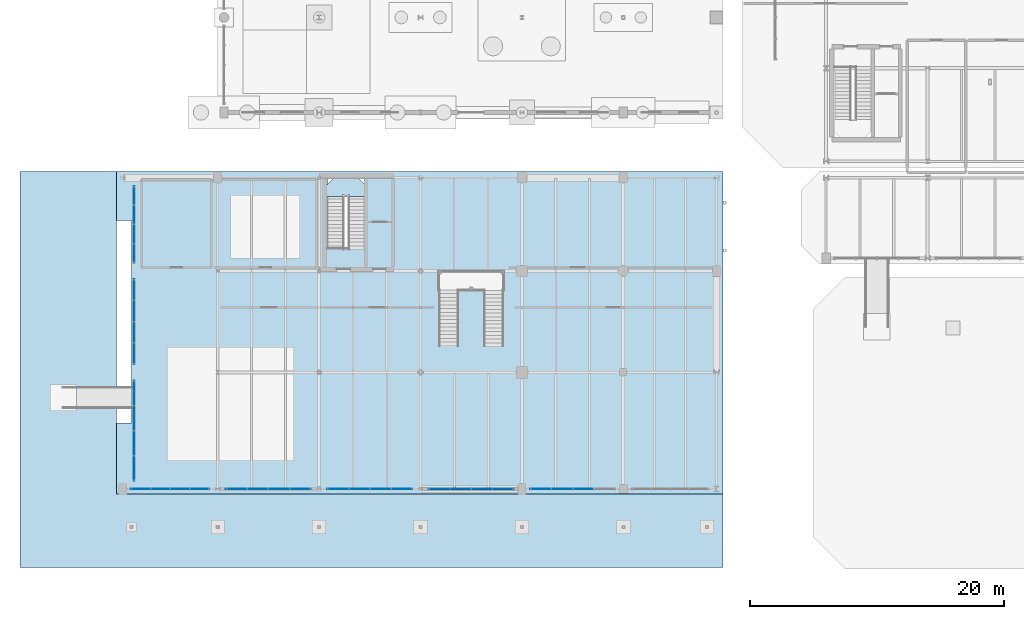
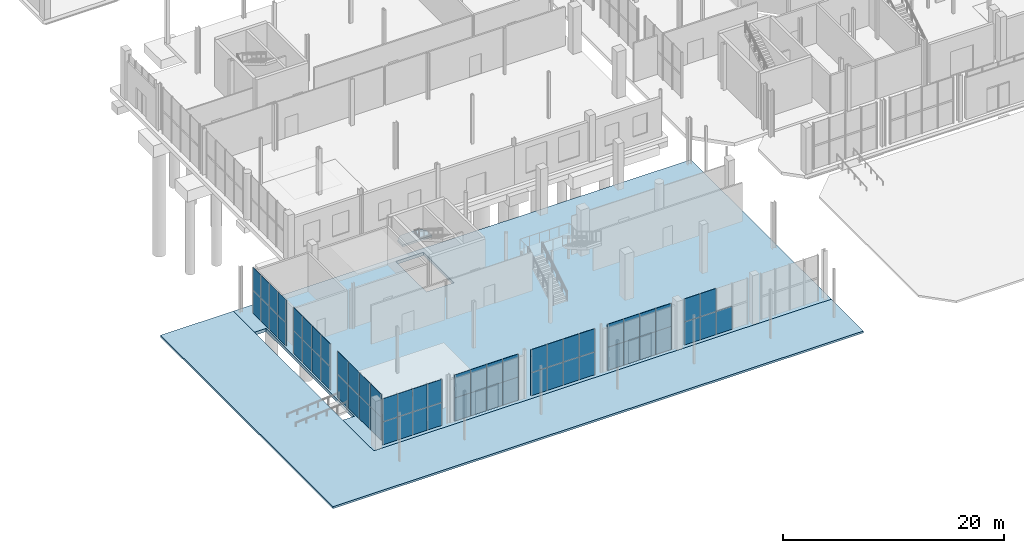
# One storey, part 57 of 87: 61 plates, 3 slabs, 9 elements without a shape of their own.
"""IFC4 building model written with IfcOpenShell, lengths in metres."""

from ifc_helpers import new_model, si_unit, direction, frame, origin, origin_2d, place, context, subcontext, project, spatial, polyline, rectangle, outline, extrude, material, layer, layer_set, type_object, element, aggregate, save


model = new_model("IFC4")

# Units and contexts
model_context = context("Model", 3, precision=1e-05, world=origin(), true_north=direction((0.0, 1.0)))
body_context = subcontext(model_context, "Body", "Model", "MODEL_VIEW")
ifc_project = project(units=[si_unit("LENGTHUNIT", "METRE"), si_unit("AREAUNIT", "SQUARE_METRE"), si_unit("VOLUMEUNIT", "CUBIC_METRE"), si_unit("PLANEANGLEUNIT", "RADIAN"), si_unit("MASSUNIT", "GRAM", prefix="KILO")], contexts=[model_context])

# Site, building, storey
site_placement = place(None, origin())
site = spatial("IfcSite", under=ifc_project, at=site_placement, CompositionType="ELEMENT")
building_placement = place(site_placement, origin())
building = spatial("IfcBuilding", under=site, at=building_placement, Name="Brisemont Oceanarium", CompositionType="ELEMENT")
storey_placement = place(building_placement, origin())
storey = spatial("IfcBuildingStorey", under=building, at=storey_placement, Name="L00", CompositionType="ELEMENT", Elevation=0.0)

# Curtain wall, plates
ifc_material_1 = material(Name="Anodized Extruded Aluminum 6063-T6", Category="aluminium")
curtain_wall_type = type_object("IfcCurtainWallType", Name="CW-HALL-69X50", PredefinedType="NOTDEFINED", material=ifc_material_1)
curtain_wall_1_placement = place(storey_placement, origin())
curtain_wall_1 = element("IfcCurtainWall", 1, at=curtain_wall_1_placement, inside=storey, type_object=curtain_wall_type, Name="CW-04 curtain wall CW-V2-S-L00-01", PredefinedType="NOTDEFINED")
ifc_material_2 = material(Name="Insulated Low-E Laminated Glass", Category="glass")
ifc_layer_1 = layer(ifc_material_2, 0.030029296875)
ifc_layer_set_1 = layer_set([ifc_layer_1], Name="Insulated Low-E Laminated Glass")
plate_type = type_object("IfcPlateType", Name="PLT-CWP-V4", PredefinedType="CURTAIN_PANEL", material=ifc_layer_set_1)
plate_1_placement = place(storey_placement, frame((9.925048828125, 6.800048828125, 0.00146484375), z_axis=(0.0, 0.0, 1.0), x_axis=(1.0, 0.0, 0.0)))
plate_1 = element("IfcPlate", 2, at=plate_1_placement, type_object=plate_type, Name="CW-V2-S-L00-01 panel 1.1", PredefinedType="CURTAIN_PANEL", context=body_context, shape_type="SweptSolid", body=[
    extrude(rectangle(XDim=1.547119140625, YDim=0.030029296875, at=origin_2d()), origin(), (0.0, 0.0, 1.0), 2.547119140625),
])
plate_2_placement = place(storey_placement, frame((9.925048828125, 6.800048828125, 2.55126953125), z_axis=(0.0, 0.0, 1.0), x_axis=(1.0, 0.0, 0.0)))
plate_2 = element("IfcPlate", 3, at=plate_2_placement, type_object=plate_type, Name="CW-V2-S-L00-01 panel 1.2", PredefinedType="CURTAIN_PANEL", context=body_context, shape_type="SweptSolid", body=[
    extrude(rectangle(XDim=1.547119140625, YDim=0.030029296875, at=origin_2d()), origin(), (0.0, 0.0, 1.0), 2.547119140625),
])
plate_3_placement = place(storey_placement, frame((11.47509765625, 6.800048828125, 0.00146484375), z_axis=(0.0, 0.0, 1.0), x_axis=(1.0, 0.0, 0.0)))
plate_3 = element("IfcPlate", 4, at=plate_3_placement, type_object=plate_type, Name="CW-V2-S-L00-01 panel 2.1", PredefinedType="CURTAIN_PANEL", context=body_context, shape_type="SweptSolid", body=[
    extrude(rectangle(XDim=1.547119140625, YDim=0.030029296875, at=origin_2d()), origin(), (0.0, 0.0, 1.0), 2.547119140625),
])
plate_4_placement = place(storey_placement, frame((11.47509765625, 6.800048828125, 2.55126953125), z_axis=(0.0, 0.0, 1.0), x_axis=(1.0, 0.0, 0.0)))
plate_4 = element("IfcPlate", 5, at=plate_4_placement, type_object=plate_type, Name="CW-V2-S-L00-01 panel 2.2", PredefinedType="CURTAIN_PANEL", context=body_context, shape_type="SweptSolid", body=[
    extrude(rectangle(XDim=1.547119140625, YDim=0.030029296875, at=origin_2d()), origin(), (0.0, 0.0, 1.0), 2.547119140625),
])
plate_5_placement = place(storey_placement, frame((13.02490234375, 6.800048828125, 0.00146484375), z_axis=(0.0, 0.0, 1.0), x_axis=(1.0, 0.0, 0.0)))
plate_5 = element("IfcPlate", 6, at=plate_5_placement, type_object=plate_type, Name="CW-V2-S-L00-01 panel 3.1", PredefinedType="CURTAIN_PANEL", context=body_context, shape_type="SweptSolid", body=[
    extrude(rectangle(XDim=1.547119140625, YDim=0.030029296875, at=origin_2d()), origin(), (0.0, 0.0, 1.0), 2.547119140625),
])
plate_6_placement = place(storey_placement, frame((13.02490234375, 6.800048828125, 2.55126953125), z_axis=(0.0, 0.0, 1.0), x_axis=(1.0, 0.0, 0.0)))
plate_6 = element("IfcPlate", 7, at=plate_6_placement, type_object=plate_type, Name="CW-V2-S-L00-01 panel 3.2", PredefinedType="CURTAIN_PANEL", context=body_context, shape_type="SweptSolid", body=[
    extrude(rectangle(XDim=1.547119140625, YDim=0.030029296875, at=origin_2d()), origin(), (0.0, 0.0, 1.0), 2.547119140625),
])
plate_7_placement = place(storey_placement, frame((14.574951171875, 6.800048828125, 0.00146484375), z_axis=(0.0, 0.0, 1.0), x_axis=(1.0, 0.0, 0.0)))
plate_7 = element("IfcPlate", 8, at=plate_7_placement, type_object=plate_type, Name="CW-V2-S-L00-01 panel 4.1", PredefinedType="CURTAIN_PANEL", context=body_context, shape_type="SweptSolid", body=[
    extrude(rectangle(XDim=1.547119140625, YDim=0.030029296875, at=origin_2d()), origin(), (0.0, 0.0, 1.0), 2.547119140625),
])
plate_8_placement = place(storey_placement, frame((14.574951171875, 6.800048828125, 2.55126953125), z_axis=(0.0, 0.0, 1.0), x_axis=(1.0, 0.0, 0.0)))
plate_8 = element("IfcPlate", 9, at=plate_8_placement, type_object=plate_type, Name="CW-V2-S-L00-01 panel 4.2", PredefinedType="CURTAIN_PANEL", context=body_context, shape_type="SweptSolid", body=[
    extrude(rectangle(XDim=1.547119140625, YDim=0.030029296875, at=origin_2d()), origin(), (0.0, 0.0, 1.0), 2.547119140625),
])
aggregate(curtain_wall_1, [plate_1, plate_2, plate_3, plate_4, plate_5, plate_6, plate_7, plate_8])

curtain_wall_2_placement = place(storey_placement, origin())
curtain_wall_2 = element("IfcCurtainWall", 10, at=curtain_wall_2_placement, inside=storey, type_object=curtain_wall_type, Name="CW-04 curtain wall CW-V2-S-L00-02", PredefinedType="NOTDEFINED")
plate_9_placement = place(storey_placement, frame((17.487548828125, 6.800048828125, 0.00146484375), z_axis=(0.0, 0.0, 1.0), x_axis=(1.0, 0.0, 0.0)))
plate_9 = element("IfcPlate", 11, at=plate_9_placement, type_object=plate_type, Name="CW-V2-S-L00-02 panel 1.1", PredefinedType="CURTAIN_PANEL", context=body_context, shape_type="SweptSolid", body=[
    extrude(rectangle(XDim=1.672119140625, YDim=0.030029296875, at=origin_2d()), origin(), (0.0, 0.0, 1.0), 2.547119140625),
])
plate_10_placement = place(storey_placement, frame((17.487548828125, 6.800048828125, 2.55126953125), z_axis=(0.0, 0.0, 1.0), x_axis=(1.0, 0.0, 0.0)))
plate_10 = element("IfcPlate", 12, at=plate_10_placement, type_object=plate_type, Name="CW-V2-S-L00-02 panel 1.2", PredefinedType="CURTAIN_PANEL", context=body_context, shape_type="SweptSolid", body=[
    extrude(rectangle(XDim=1.672119140625, YDim=0.030029296875, at=origin_2d()), origin(), (0.0, 0.0, 1.0), 2.547119140625),
])
plate_11_placement = place(storey_placement, frame((19.16259765625, 6.800048828125, 0.00146484375), z_axis=(0.0, 0.0, 1.0), x_axis=(1.0, 0.0, 0.0)))
plate_11 = element("IfcPlate", 13, at=plate_11_placement, type_object=plate_type, Name="CW-V2-S-L00-02 panel 2.1", PredefinedType="CURTAIN_PANEL", context=body_context, shape_type="SweptSolid", body=[
    extrude(rectangle(XDim=1.672119140625, YDim=0.030029296875, at=origin_2d()), origin(), (0.0, 0.0, 1.0), 2.547119140625),
])
plate_12_placement = place(storey_placement, frame((19.16259765625, 6.800048828125, 2.55126953125), z_axis=(0.0, 0.0, 1.0), x_axis=(1.0, 0.0, 0.0)))
plate_12 = element("IfcPlate", 14, at=plate_12_placement, type_object=plate_type, Name="CW-V2-S-L00-02 panel 2.2", PredefinedType="CURTAIN_PANEL", context=body_context, shape_type="SweptSolid", body=[
    extrude(rectangle(XDim=1.672119140625, YDim=0.030029296875, at=origin_2d()), origin(), (0.0, 0.0, 1.0), 2.547119140625),
])
plate_13_placement = place(storey_placement, frame((20.83740234375, 6.800048828125, 0.00146484375), z_axis=(0.0, 0.0, 1.0), x_axis=(1.0, 0.0, 0.0)))
plate_13 = element("IfcPlate", 15, at=plate_13_placement, type_object=plate_type, Name="CW-V2-S-L00-02 panel 3.1", PredefinedType="CURTAIN_PANEL", context=body_context, shape_type="SweptSolid", body=[
    extrude(rectangle(XDim=1.672119140625, YDim=0.030029296875, at=origin_2d()), origin(), (0.0, 0.0, 1.0), 2.547119140625),
])
plate_14_placement = place(storey_placement, frame((20.83740234375, 6.800048828125, 2.55126953125), z_axis=(0.0, 0.0, 1.0), x_axis=(1.0, 0.0, 0.0)))
plate_14 = element("IfcPlate", 16, at=plate_14_placement, type_object=plate_type, Name="CW-V2-S-L00-02 panel 3.2", PredefinedType="CURTAIN_PANEL", context=body_context, shape_type="SweptSolid", body=[
    extrude(rectangle(XDim=1.672119140625, YDim=0.030029296875, at=origin_2d()), origin(), (0.0, 0.0, 1.0), 2.547119140625),
])
plate_15_placement = place(storey_placement, frame((22.512451171875, 6.800048828125, 0.00146484375), z_axis=(0.0, 0.0, 1.0), x_axis=(1.0, 0.0, 0.0)))
plate_15 = element("IfcPlate", 17, at=plate_15_placement, type_object=plate_type, Name="CW-V2-S-L00-02 panel 4.1", PredefinedType="CURTAIN_PANEL", context=body_context, shape_type="SweptSolid", body=[
    extrude(rectangle(XDim=1.672119140625, YDim=0.030029296875, at=origin_2d()), origin(), (0.0, 0.0, 1.0), 2.547119140625),
])
plate_16_placement = place(storey_placement, frame((22.512451171875, 6.800048828125, 2.55126953125), z_axis=(0.0, 0.0, 1.0), x_axis=(1.0, 0.0, 0.0)))
plate_16 = element("IfcPlate", 18, at=plate_16_placement, type_object=plate_type, Name="CW-V2-S-L00-02 panel 4.2", PredefinedType="CURTAIN_PANEL", context=body_context, shape_type="SweptSolid", body=[
    extrude(rectangle(XDim=1.672119140625, YDim=0.030029296875, at=origin_2d()), origin(), (0.0, 0.0, 1.0), 2.547119140625),
])
aggregate(curtain_wall_2, [plate_9, plate_10, plate_11, plate_12, plate_13, plate_14, plate_15, plate_16])

curtain_wall_3_placement = place(storey_placement, origin())
curtain_wall_3 = element("IfcCurtainWall", 19, at=curtain_wall_3_placement, inside=storey, type_object=curtain_wall_type, Name="CW-04 curtain wall CW-V2-S-L00-03", PredefinedType="NOTDEFINED")
plate_17_placement = place(storey_placement, frame((25.487548828125, 6.800048828125, 0.00146484375), z_axis=(0.0, 0.0, 1.0), x_axis=(1.0, 0.0, 0.0)))
plate_17 = element("IfcPlate", 20, at=plate_17_placement, type_object=plate_type, Name="CW-V2-S-L00-03 panel 1.1", PredefinedType="CURTAIN_PANEL", context=body_context, shape_type="SweptSolid", body=[
    extrude(rectangle(XDim=1.672119140625, YDim=0.030029296875, at=origin_2d()), origin(), (0.0, 0.0, 1.0), 2.547119140625),
])
plate_18_placement = place(storey_placement, frame((25.487548828125, 6.800048828125, 2.55126953125), z_axis=(0.0, 0.0, 1.0), x_axis=(1.0, 0.0, 0.0)))
plate_18 = element("IfcPlate", 21, at=plate_18_placement, type_object=plate_type, Name="CW-V2-S-L00-03 panel 1.2", PredefinedType="CURTAIN_PANEL", context=body_context, shape_type="SweptSolid", body=[
    extrude(rectangle(XDim=1.672119140625, YDim=0.030029296875, at=origin_2d()), origin(), (0.0, 0.0, 1.0), 2.547119140625),
])
plate_19_placement = place(storey_placement, frame((27.16259765625, 6.800048828125, 0.00146484375), z_axis=(0.0, 0.0, 1.0), x_axis=(1.0, 0.0, 0.0)))
plate_19 = element("IfcPlate", 22, at=plate_19_placement, type_object=plate_type, Name="CW-V2-S-L00-03 panel 2.1", PredefinedType="CURTAIN_PANEL", context=body_context, shape_type="SweptSolid", body=[
    extrude(rectangle(XDim=1.672119140625, YDim=0.030029296875, at=origin_2d()), origin(), (0.0, 0.0, 1.0), 2.547119140625),
])
plate_20_placement = place(storey_placement, frame((27.16259765625, 6.800048828125, 2.55126953125), z_axis=(0.0, 0.0, 1.0), x_axis=(1.0, 0.0, 0.0)))
plate_20 = element("IfcPlate", 23, at=plate_20_placement, type_object=plate_type, Name="CW-V2-S-L00-03 panel 2.2", PredefinedType="CURTAIN_PANEL", context=body_context, shape_type="SweptSolid", body=[
    extrude(rectangle(XDim=1.672119140625, YDim=0.030029296875, at=origin_2d()), origin(), (0.0, 0.0, 1.0), 2.547119140625),
])
plate_21_placement = place(storey_placement, frame((28.83740234375, 6.800048828125, 0.00146484375), z_axis=(0.0, 0.0, 1.0), x_axis=(1.0, 0.0, 0.0)))
plate_21 = element("IfcPlate", 24, at=plate_21_placement, type_object=plate_type, Name="CW-V2-S-L00-03 panel 3.1", PredefinedType="CURTAIN_PANEL", context=body_context, shape_type="SweptSolid", body=[
    extrude(rectangle(XDim=1.672119140625, YDim=0.030029296875, at=origin_2d()), origin(), (0.0, 0.0, 1.0), 2.547119140625),
])
plate_22_placement = place(storey_placement, frame((28.83740234375, 6.800048828125, 2.55126953125), z_axis=(0.0, 0.0, 1.0), x_axis=(1.0, 0.0, 0.0)))
plate_22 = element("IfcPlate", 25, at=plate_22_placement, type_object=plate_type, Name="CW-V2-S-L00-03 panel 3.2", PredefinedType="CURTAIN_PANEL", context=body_context, shape_type="SweptSolid", body=[
    extrude(rectangle(XDim=1.672119140625, YDim=0.030029296875, at=origin_2d()), origin(), (0.0, 0.0, 1.0), 2.547119140625),
])
plate_23_placement = place(storey_placement, frame((30.512451171875, 6.800048828125, 0.00146484375), z_axis=(0.0, 0.0, 1.0), x_axis=(1.0, 0.0, 0.0)))
plate_23 = element("IfcPlate", 26, at=plate_23_placement, type_object=plate_type, Name="CW-V2-S-L00-03 panel 4.1", PredefinedType="CURTAIN_PANEL", context=body_context, shape_type="SweptSolid", body=[
    extrude(rectangle(XDim=1.672119140625, YDim=0.030029296875, at=origin_2d()), origin(), (0.0, 0.0, 1.0), 2.547119140625),
])
plate_24_placement = place(storey_placement, frame((30.512451171875, 6.800048828125, 2.55126953125), z_axis=(0.0, 0.0, 1.0), x_axis=(1.0, 0.0, 0.0)))
plate_24 = element("IfcPlate", 27, at=plate_24_placement, type_object=plate_type, Name="CW-V2-S-L00-03 panel 4.2", PredefinedType="CURTAIN_PANEL", context=body_context, shape_type="SweptSolid", body=[
    extrude(rectangle(XDim=1.672119140625, YDim=0.030029296875, at=origin_2d()), origin(), (0.0, 0.0, 1.0), 2.547119140625),
])
aggregate(curtain_wall_3, [plate_17, plate_18, plate_19, plate_20, plate_21, plate_22, plate_23, plate_24])

curtain_wall_4_placement = place(storey_placement, origin())
curtain_wall_4 = element("IfcCurtainWall", 28, at=curtain_wall_4_placement, inside=storey, type_object=curtain_wall_type, Name="CW-04 curtain wall CW-V2-S-L00-04", PredefinedType="NOTDEFINED")
plate_25_placement = place(storey_placement, frame((33.487548828125, 6.800048828125, 0.00146484375), z_axis=(0.0, 0.0, 1.0), x_axis=(1.0, 0.0, 0.0)))
plate_25 = element("IfcPlate", 29, at=plate_25_placement, type_object=plate_type, Name="CW-V2-S-L00-04 panel 1.1", PredefinedType="CURTAIN_PANEL", context=body_context, shape_type="SweptSolid", body=[
    extrude(rectangle(XDim=1.672119140625, YDim=0.030029296875, at=origin_2d()), origin(), (0.0, 0.0, 1.0), 2.547119140625),
])
plate_26_placement = place(storey_placement, frame((33.487548828125, 6.800048828125, 2.55126953125), z_axis=(0.0, 0.0, 1.0), x_axis=(1.0, 0.0, 0.0)))
plate_26 = element("IfcPlate", 30, at=plate_26_placement, type_object=plate_type, Name="CW-V2-S-L00-04 panel 1.2", PredefinedType="CURTAIN_PANEL", context=body_context, shape_type="SweptSolid", body=[
    extrude(rectangle(XDim=1.672119140625, YDim=0.030029296875, at=origin_2d()), origin(), (0.0, 0.0, 1.0), 2.547119140625),
])
plate_27_placement = place(storey_placement, frame((35.16259765625, 6.800048828125, 0.00146484375), z_axis=(0.0, 0.0, 1.0), x_axis=(1.0, 0.0, 0.0)))
plate_27 = element("IfcPlate", 31, at=plate_27_placement, type_object=plate_type, Name="CW-V2-S-L00-04 panel 2.1", PredefinedType="CURTAIN_PANEL", context=body_context, shape_type="SweptSolid", body=[
    extrude(rectangle(XDim=1.672119140625, YDim=0.030029296875, at=origin_2d()), origin(), (0.0, 0.0, 1.0), 2.547119140625),
])
plate_28_placement = place(storey_placement, frame((35.16259765625, 6.800048828125, 2.55126953125), z_axis=(0.0, 0.0, 1.0), x_axis=(1.0, 0.0, 0.0)))
plate_28 = element("IfcPlate", 32, at=plate_28_placement, type_object=plate_type, Name="CW-V2-S-L00-04 panel 2.2", PredefinedType="CURTAIN_PANEL", context=body_context, shape_type="SweptSolid", body=[
    extrude(rectangle(XDim=1.672119140625, YDim=0.030029296875, at=origin_2d()), origin(), (0.0, 0.0, 1.0), 2.547119140625),
])
plate_29_placement = place(storey_placement, frame((36.83740234375, 6.800048828125, 0.00146484375), z_axis=(0.0, 0.0, 1.0), x_axis=(1.0, 0.0, 0.0)))
plate_29 = element("IfcPlate", 33, at=plate_29_placement, type_object=plate_type, Name="CW-V2-S-L00-04 panel 3.1", PredefinedType="CURTAIN_PANEL", context=body_context, shape_type="SweptSolid", body=[
    extrude(rectangle(XDim=1.672119140625, YDim=0.030029296875, at=origin_2d()), origin(), (0.0, 0.0, 1.0), 2.547119140625),
])
plate_30_placement = place(storey_placement, frame((36.83740234375, 6.800048828125, 2.55126953125), z_axis=(0.0, 0.0, 1.0), x_axis=(1.0, 0.0, 0.0)))
plate_30 = element("IfcPlate", 34, at=plate_30_placement, type_object=plate_type, Name="CW-V2-S-L00-04 panel 3.2", PredefinedType="CURTAIN_PANEL", context=body_context, shape_type="SweptSolid", body=[
    extrude(rectangle(XDim=1.672119140625, YDim=0.030029296875, at=origin_2d()), origin(), (0.0, 0.0, 1.0), 2.547119140625),
])
plate_31_placement = place(storey_placement, frame((38.512451171875, 6.800048828125, 0.00146484375), z_axis=(0.0, 0.0, 1.0), x_axis=(1.0, 0.0, 0.0)))
plate_31 = element("IfcPlate", 35, at=plate_31_placement, type_object=plate_type, Name="CW-V2-S-L00-04 panel 4.1", PredefinedType="CURTAIN_PANEL", context=body_context, shape_type="SweptSolid", body=[
    extrude(rectangle(XDim=1.672119140625, YDim=0.030029296875, at=origin_2d()), origin(), (0.0, 0.0, 1.0), 2.547119140625),
])
plate_32_placement = place(storey_placement, frame((38.512451171875, 6.800048828125, 2.55126953125), z_axis=(0.0, 0.0, 1.0), x_axis=(1.0, 0.0, 0.0)))
plate_32 = element("IfcPlate", 36, at=plate_32_placement, type_object=plate_type, Name="CW-V2-S-L00-04 panel 4.2", PredefinedType="CURTAIN_PANEL", context=body_context, shape_type="SweptSolid", body=[
    extrude(rectangle(XDim=1.672119140625, YDim=0.030029296875, at=origin_2d()), origin(), (0.0, 0.0, 1.0), 2.547119140625),
])
aggregate(curtain_wall_4, [plate_25, plate_26, plate_27, plate_28, plate_29, plate_30, plate_31, plate_32])

curtain_wall_5_placement = place(storey_placement, origin())
curtain_wall_5 = element("IfcCurtainWall", 37, at=curtain_wall_5_placement, inside=storey, type_object=curtain_wall_type, Name="CW-04 curtain wall CW-V2-S-L00-05", PredefinedType="NOTDEFINED")
plate_33_placement = place(storey_placement, frame((41.487548828125, 6.800048828125, 0.00146484375), z_axis=(0.0, 0.0, 1.0), x_axis=(1.0, 0.0, 0.0)))
plate_33 = element("IfcPlate", 38, at=plate_33_placement, type_object=plate_type, Name="CW-V2-S-L00-05 panel 1.1", PredefinedType="CURTAIN_PANEL", context=body_context, shape_type="SweptSolid", body=[
    extrude(rectangle(XDim=1.672119140625, YDim=0.030029296875, at=origin_2d()), origin(), (0.0, 0.0, 1.0), 2.547119140625),
])
plate_34_placement = place(storey_placement, frame((41.487548828125, 6.800048828125, 2.55126953125), z_axis=(0.0, 0.0, 1.0), x_axis=(1.0, 0.0, 0.0)))
plate_34 = element("IfcPlate", 39, at=plate_34_placement, type_object=plate_type, Name="CW-V2-S-L00-05 panel 1.2", PredefinedType="CURTAIN_PANEL", context=body_context, shape_type="SweptSolid", body=[
    extrude(rectangle(XDim=1.672119140625, YDim=0.030029296875, at=origin_2d()), origin(), (0.0, 0.0, 1.0), 2.547119140625),
])
plate_35_placement = place(storey_placement, frame((43.16259765625, 6.800048828125, 0.00146484375), z_axis=(0.0, 0.0, 1.0), x_axis=(1.0, 0.0, 0.0)))
plate_35 = element("IfcPlate", 40, at=plate_35_placement, type_object=plate_type, Name="CW-V2-S-L00-05 panel 2.1", PredefinedType="CURTAIN_PANEL", context=body_context, shape_type="SweptSolid", body=[
    extrude(rectangle(XDim=1.672119140625, YDim=0.030029296875, at=origin_2d()), origin(), (0.0, 0.0, 1.0), 2.547119140625),
])
plate_36_placement = place(storey_placement, frame((43.16259765625, 6.800048828125, 2.55126953125), z_axis=(0.0, 0.0, 1.0), x_axis=(1.0, 0.0, 0.0)))
plate_36 = element("IfcPlate", 41, at=plate_36_placement, type_object=plate_type, Name="CW-V2-S-L00-05 panel 2.2", PredefinedType="CURTAIN_PANEL", context=body_context, shape_type="SweptSolid", body=[
    extrude(rectangle(XDim=1.672119140625, YDim=0.030029296875, at=origin_2d()), origin(), (0.0, 0.0, 1.0), 2.547119140625),
])
plate_37_placement = place(storey_placement, frame((44.83740234375, 6.800048828125, 0.00146484375), z_axis=(0.0, 0.0, 1.0), x_axis=(1.0, 0.0, 0.0)))
plate_37 = element("IfcPlate", 42, at=plate_37_placement, type_object=plate_type, Name="CW-V2-S-L00-05 panel 3.1", PredefinedType="CURTAIN_PANEL", context=body_context, shape_type="SweptSolid", body=[
    extrude(rectangle(XDim=1.672119140625, YDim=0.030029296875, at=origin_2d()), origin(), (0.0, 0.0, 1.0), 2.547119140625),
])
aggregate(curtain_wall_5, [plate_33, plate_34, plate_35, plate_36, plate_37])

curtain_wall_6_placement = place(storey_placement, origin())
curtain_wall_6 = element("IfcCurtainWall", 43, at=curtain_wall_6_placement, inside=storey, type_object=curtain_wall_type, Name="CW-04 curtain wall CW-V2-W-L00-01", PredefinedType="NOTDEFINED")
plate_38_placement = place(storey_placement, frame((9.39990234375, 8.4375, 0.00146484375), z_axis=(0.0, 0.0, 1.0), x_axis=(0.0, 1.0, 0.0)))
plate_38 = element("IfcPlate", 44, at=plate_38_placement, type_object=plate_type, Name="CW-V2-W-L00-01 panel 1.1", PredefinedType="CURTAIN_PANEL", context=body_context, shape_type="SweptSolid", body=[
    extrude(rectangle(XDim=1.971923828125, YDim=0.030029296875, at=origin_2d()), origin(), (0.0, 0.0, 1.0), 2.547119140625),
])
plate_39_placement = place(storey_placement, frame((9.39990234375, 8.4375, 2.55126953125), z_axis=(0.0, 0.0, 1.0), x_axis=(0.0, 1.0, 0.0)))
plate_39 = element("IfcPlate", 45, at=plate_39_placement, type_object=plate_type, Name="CW-V2-W-L00-01 panel 1.2", PredefinedType="CURTAIN_PANEL", context=body_context, shape_type="SweptSolid", body=[
    extrude(rectangle(XDim=1.971923828125, YDim=0.030029296875, at=origin_2d()), origin(), (0.0, 0.0, 1.0), 2.547119140625),
])
plate_40_placement = place(storey_placement, frame((9.39990234375, 10.41259765625, 0.00146484375), z_axis=(0.0, 0.0, 1.0), x_axis=(0.0, 1.0, 0.0)))
plate_40 = element("IfcPlate", 46, at=plate_40_placement, type_object=plate_type, Name="CW-V2-W-L00-01 panel 2.1", PredefinedType="CURTAIN_PANEL", context=body_context, shape_type="SweptSolid", body=[
    extrude(rectangle(XDim=1.971923828125, YDim=0.030029296875, at=origin_2d()), origin(), (0.0, 0.0, 1.0), 2.547119140625),
])
plate_41_placement = place(storey_placement, frame((9.39990234375, 10.41259765625, 2.55126953125), z_axis=(0.0, 0.0, 1.0), x_axis=(0.0, 1.0, 0.0)))
plate_41 = element("IfcPlate", 47, at=plate_41_placement, type_object=plate_type, Name="CW-V2-W-L00-01 panel 2.2", PredefinedType="CURTAIN_PANEL", context=body_context, shape_type="SweptSolid", body=[
    extrude(rectangle(XDim=1.971923828125, YDim=0.030029296875, at=origin_2d()), origin(), (0.0, 0.0, 1.0), 2.547119140625),
])
plate_42_placement = place(storey_placement, frame((9.39990234375, 12.387451171875, 0.00146484375), z_axis=(0.0, 0.0, 1.0), x_axis=(0.0, 1.0, 0.0)))
plate_42 = element("IfcPlate", 48, at=plate_42_placement, type_object=plate_type, Name="CW-V2-W-L00-01 panel 3.1", PredefinedType="CURTAIN_PANEL", context=body_context, shape_type="SweptSolid", body=[
    extrude(rectangle(XDim=1.971923828125, YDim=0.030029296875, at=origin_2d()), origin(), (0.0, 0.0, 1.0), 2.547119140625),
])
plate_43_placement = place(storey_placement, frame((9.39990234375, 12.387451171875, 2.55126953125), z_axis=(0.0, 0.0, 1.0), x_axis=(0.0, 1.0, 0.0)))
plate_43 = element("IfcPlate", 49, at=plate_43_placement, type_object=plate_type, Name="CW-V2-W-L00-01 panel 3.2", PredefinedType="CURTAIN_PANEL", context=body_context, shape_type="SweptSolid", body=[
    extrude(rectangle(XDim=1.971923828125, YDim=0.030029296875, at=origin_2d()), origin(), (0.0, 0.0, 1.0), 2.547119140625),
])
plate_44_placement = place(storey_placement, frame((9.39990234375, 14.362548828125, 0.00146484375), z_axis=(0.0, 0.0, 1.0), x_axis=(0.0, 1.0, 0.0)))
plate_44 = element("IfcPlate", 50, at=plate_44_placement, type_object=plate_type, Name="CW-V2-W-L00-01 panel 4.1", PredefinedType="CURTAIN_PANEL", context=body_context, shape_type="SweptSolid", body=[
    extrude(rectangle(XDim=1.971923828125, YDim=0.030029296875, at=origin_2d()), origin(), (0.0, 0.0, 1.0), 2.547119140625),
])
plate_45_placement = place(storey_placement, frame((9.39990234375, 14.362548828125, 2.55126953125), z_axis=(0.0, 0.0, 1.0), x_axis=(0.0, 1.0, 0.0)))
plate_45 = element("IfcPlate", 51, at=plate_45_placement, type_object=plate_type, Name="CW-V2-W-L00-01 panel 4.2", PredefinedType="CURTAIN_PANEL", context=body_context, shape_type="SweptSolid", body=[
    extrude(rectangle(XDim=1.971923828125, YDim=0.030029296875, at=origin_2d()), origin(), (0.0, 0.0, 1.0), 2.547119140625),
])
aggregate(curtain_wall_6, [plate_38, plate_39, plate_40, plate_41, plate_42, plate_43, plate_44, plate_45])

curtain_wall_7_placement = place(storey_placement, origin())
curtain_wall_7 = element("IfcCurtainWall", 52, at=curtain_wall_7_placement, inside=storey, type_object=curtain_wall_type, Name="CW-04 curtain wall CW-V2-W-L00-02", PredefinedType="NOTDEFINED")
plate_46_placement = place(storey_placement, frame((9.39990234375, 17.487548828125, 0.00146484375), z_axis=(0.0, 0.0, 1.0), x_axis=(0.0, 1.0, 0.0)))
plate_46 = element("IfcPlate", 53, at=plate_46_placement, type_object=plate_type, Name="CW-V2-W-L00-02 panel 1.1", PredefinedType="CURTAIN_PANEL", context=body_context, shape_type="SweptSolid", body=[
    extrude(rectangle(XDim=1.672119140625, YDim=0.030029296875, at=origin_2d()), origin(), (0.0, 0.0, 1.0), 2.547119140625),
])
plate_47_placement = place(storey_placement, frame((9.39990234375, 17.487548828125, 2.55126953125), z_axis=(0.0, 0.0, 1.0), x_axis=(0.0, 1.0, 0.0)))
plate_47 = element("IfcPlate", 54, at=plate_47_placement, type_object=plate_type, Name="CW-V2-W-L00-02 panel 1.2", PredefinedType="CURTAIN_PANEL", context=body_context, shape_type="SweptSolid", body=[
    extrude(rectangle(XDim=1.672119140625, YDim=0.030029296875, at=origin_2d()), origin(), (0.0, 0.0, 1.0), 2.547119140625),
])
plate_48_placement = place(storey_placement, frame((9.39990234375, 19.16259765625, 0.00146484375), z_axis=(0.0, 0.0, 1.0), x_axis=(0.0, 1.0, 0.0)))
plate_48 = element("IfcPlate", 55, at=plate_48_placement, type_object=plate_type, Name="CW-V2-W-L00-02 panel 2.1", PredefinedType="CURTAIN_PANEL", context=body_context, shape_type="SweptSolid", body=[
    extrude(rectangle(XDim=1.672119140625, YDim=0.030029296875, at=origin_2d()), origin(), (0.0, 0.0, 1.0), 2.547119140625),
])
plate_49_placement = place(storey_placement, frame((9.39990234375, 19.16259765625, 2.55126953125), z_axis=(0.0, 0.0, 1.0), x_axis=(0.0, 1.0, 0.0)))
plate_49 = element("IfcPlate", 56, at=plate_49_placement, type_object=plate_type, Name="CW-V2-W-L00-02 panel 2.2", PredefinedType="CURTAIN_PANEL", context=body_context, shape_type="SweptSolid", body=[
    extrude(rectangle(XDim=1.672119140625, YDim=0.030029296875, at=origin_2d()), origin(), (0.0, 0.0, 1.0), 2.547119140625),
])
plate_50_placement = place(storey_placement, frame((9.39990234375, 20.83740234375, 0.00146484375), z_axis=(0.0, 0.0, 1.0), x_axis=(0.0, 1.0, 0.0)))
plate_50 = element("IfcPlate", 57, at=plate_50_placement, type_object=plate_type, Name="CW-V2-W-L00-02 panel 3.1", PredefinedType="CURTAIN_PANEL", context=body_context, shape_type="SweptSolid", body=[
    extrude(rectangle(XDim=1.672119140625, YDim=0.030029296875, at=origin_2d()), origin(), (0.0, 0.0, 1.0), 2.547119140625),
])
plate_51_placement = place(storey_placement, frame((9.39990234375, 20.83740234375, 2.55126953125), z_axis=(0.0, 0.0, 1.0), x_axis=(0.0, 1.0, 0.0)))
plate_51 = element("IfcPlate", 58, at=plate_51_placement, type_object=plate_type, Name="CW-V2-W-L00-02 panel 3.2", PredefinedType="CURTAIN_PANEL", context=body_context, shape_type="SweptSolid", body=[
    extrude(rectangle(XDim=1.672119140625, YDim=0.030029296875, at=origin_2d()), origin(), (0.0, 0.0, 1.0), 2.547119140625),
])
plate_52_placement = place(storey_placement, frame((9.39990234375, 22.512451171875, 0.00146484375), z_axis=(0.0, 0.0, 1.0), x_axis=(0.0, 1.0, 0.0)))
plate_52 = element("IfcPlate", 59, at=plate_52_placement, type_object=plate_type, Name="CW-V2-W-L00-02 panel 4.1", PredefinedType="CURTAIN_PANEL", context=body_context, shape_type="SweptSolid", body=[
    extrude(rectangle(XDim=1.672119140625, YDim=0.030029296875, at=origin_2d()), origin(), (0.0, 0.0, 1.0), 2.547119140625),
])
plate_53_placement = place(storey_placement, frame((9.39990234375, 22.512451171875, 2.55126953125), z_axis=(0.0, 0.0, 1.0), x_axis=(0.0, 1.0, 0.0)))
plate_53 = element("IfcPlate", 60, at=plate_53_placement, type_object=plate_type, Name="CW-V2-W-L00-02 panel 4.2", PredefinedType="CURTAIN_PANEL", context=body_context, shape_type="SweptSolid", body=[
    extrude(rectangle(XDim=1.672119140625, YDim=0.030029296875, at=origin_2d()), origin(), (0.0, 0.0, 1.0), 2.547119140625),
])
aggregate(curtain_wall_7, [plate_46, plate_47, plate_48, plate_49, plate_50, plate_51, plate_52, plate_53])

curtain_wall_8_placement = place(storey_placement, origin())
curtain_wall_8 = element("IfcCurtainWall", 61, at=curtain_wall_8_placement, inside=storey, type_object=curtain_wall_type, Name="CW-04 curtain wall CW-V2-W-L00-03", PredefinedType="NOTDEFINED")
plate_54_placement = place(storey_placement, frame((9.39990234375, 25.40625, 0.00146484375), z_axis=(0.0, 0.0, 1.0), x_axis=(0.0, 1.0, 0.0)))
plate_54 = element("IfcPlate", 62, at=plate_54_placement, type_object=plate_type, Name="CW-V2-W-L00-03 panel 1.1", PredefinedType="CURTAIN_PANEL", context=body_context, shape_type="SweptSolid", body=[
    extrude(rectangle(XDim=1.509521484375, YDim=0.030029296875, at=origin_2d()), origin(), (0.0, 0.0, 1.0), 2.547119140625),
])
plate_55_placement = place(storey_placement, frame((9.39990234375, 25.40625, 2.55126953125), z_axis=(0.0, 0.0, 1.0), x_axis=(0.0, 1.0, 0.0)))
plate_55 = element("IfcPlate", 63, at=plate_55_placement, type_object=plate_type, Name="CW-V2-W-L00-03 panel 1.2", PredefinedType="CURTAIN_PANEL", context=body_context, shape_type="SweptSolid", body=[
    extrude(rectangle(XDim=1.509521484375, YDim=0.030029296875, at=origin_2d()), origin(), (0.0, 0.0, 1.0), 2.547119140625),
])
plate_56_placement = place(storey_placement, frame((9.39990234375, 26.918701171875, 0.00146484375), z_axis=(0.0, 0.0, 1.0), x_axis=(0.0, 1.0, 0.0)))
plate_56 = element("IfcPlate", 64, at=plate_56_placement, type_object=plate_type, Name="CW-V2-W-L00-03 panel 2.1", PredefinedType="CURTAIN_PANEL", context=body_context, shape_type="SweptSolid", body=[
    extrude(rectangle(XDim=1.509521484375, YDim=0.030029296875, at=origin_2d()), origin(), (0.0, 0.0, 1.0), 2.547119140625),
])
plate_57_placement = place(storey_placement, frame((9.39990234375, 26.918701171875, 2.55126953125), z_axis=(0.0, 0.0, 1.0), x_axis=(0.0, 1.0, 0.0)))
plate_57 = element("IfcPlate", 65, at=plate_57_placement, type_object=plate_type, Name="CW-V2-W-L00-03 panel 2.2", PredefinedType="CURTAIN_PANEL", context=body_context, shape_type="SweptSolid", body=[
    extrude(rectangle(XDim=1.509521484375, YDim=0.030029296875, at=origin_2d()), origin(), (0.0, 0.0, 1.0), 2.547119140625),
])
plate_58_placement = place(storey_placement, frame((9.39990234375, 28.43115234375, 0.00146484375), z_axis=(0.0, 0.0, 1.0), x_axis=(0.0, 1.0, 0.0)))
plate_58 = element("IfcPlate", 66, at=plate_58_placement, type_object=plate_type, Name="CW-V2-W-L00-03 panel 3.1", PredefinedType="CURTAIN_PANEL", context=body_context, shape_type="SweptSolid", body=[
    extrude(rectangle(XDim=1.509521484375, YDim=0.030029296875, at=origin_2d()), origin(), (0.0, 0.0, 1.0), 2.547119140625),
])
plate_59_placement = place(storey_placement, frame((9.39990234375, 28.43115234375, 2.55126953125), z_axis=(0.0, 0.0, 1.0), x_axis=(0.0, 1.0, 0.0)))
plate_59 = element("IfcPlate", 67, at=plate_59_placement, type_object=plate_type, Name="CW-V2-W-L00-03 panel 3.2", PredefinedType="CURTAIN_PANEL", context=body_context, shape_type="SweptSolid", body=[
    extrude(rectangle(XDim=1.509521484375, YDim=0.030029296875, at=origin_2d()), origin(), (0.0, 0.0, 1.0), 2.547119140625),
])
plate_60_placement = place(storey_placement, frame((9.39990234375, 29.94384765625, 0.00146484375), z_axis=(0.0, 0.0, 1.0), x_axis=(0.0, 1.0, 0.0)))
plate_60 = element("IfcPlate", 68, at=plate_60_placement, type_object=plate_type, Name="CW-V2-W-L00-03 panel 4.1", PredefinedType="CURTAIN_PANEL", context=body_context, shape_type="SweptSolid", body=[
    extrude(rectangle(XDim=1.509521484375, YDim=0.030029296875, at=origin_2d()), origin(), (0.0, 0.0, 1.0), 2.547119140625),
])
plate_61_placement = place(storey_placement, frame((9.39990234375, 29.94384765625, 2.55126953125), z_axis=(0.0, 0.0, 1.0), x_axis=(0.0, 1.0, 0.0)))
plate_61 = element("IfcPlate", 69, at=plate_61_placement, type_object=plate_type, Name="CW-V2-W-L00-03 panel 4.2", PredefinedType="CURTAIN_PANEL", context=body_context, shape_type="SweptSolid", body=[
    extrude(rectangle(XDim=1.509521484375, YDim=0.030029296875, at=origin_2d()), origin(), (0.0, 0.0, 1.0), 2.547119140625),
])
aggregate(curtain_wall_8, [plate_54, plate_55, plate_56, plate_57, plate_58, plate_59, plate_60, plate_61])

# Slab
ifc_material_3 = material(Name="Concrete C35/45", Category="concrete")
ifc_layer_2 = layer(ifc_material_3, 0.340087890625)
ifc_layer_set_2 = layer_set([ifc_layer_2], Name="Concrete C35/45")
slab_type_1 = type_object("IfcSlabType", Name="SLB-FLR-340", PredefinedType="FLOOR", material=ifc_layer_set_2)
slab_1_placement = place(storey_placement, frame((0.0, 0.0, -0.340087890625)))
element("IfcSlab", 70, at=slab_1_placement, inside=storey, type_object=slab_type_1, Name="V2 L00 floor slab", PredefinedType="FLOOR", context=body_context, shape_type="SweptSolid", body=[
    extrude(outline(polyline([(8.0, 6.39990234375), (55.85009765625, 6.39990234375), (55.85009765625, 31.85009765625), (8.0, 31.85009765625), (8.0, 28.0), (9.199951171875, 28.0), (9.199951171875, 12.0), (8.0, 12.0), (8.0, 6.39990234375)]), holes=[polyline([(24.669921875, 25.739990234375), (27.570068359375, 25.739990234375), (27.570068359375, 31.280029296875), (24.669921875, 31.280029296875), (24.669921875, 25.739990234375)])]), origin(), (0.0, 0.0, 1.0), 0.340087890625),
])

# Stair, slab
ifc_material_4 = material(Name="Concrete C40/50", Category="concrete")
stair_type = type_object("IfcStairType", Name="STR-CORE-124-54", PredefinedType="HALF_TURN_STAIR", material=ifc_material_4)
stair_placement = place(storey_placement, origin())
stair = element("IfcStair", 71, at=stair_placement, inside=storey, type_object=stair_type, Name="Exit stair ST-03 L00 to L01", PredefinedType="HALF_TURN_STAIR")
ifc_material_5 = material(Name="Concrete C40/50", Category="concrete")
ifc_layer_3 = layer(ifc_material_5, 0.219970703125)
ifc_layer_set_3 = layer_set([ifc_layer_3], Name="Concrete C40/50")
slab_type_2 = type_object("IfcSlabType", Name="SLB-LANDING-220", PredefinedType="LANDING", material=ifc_layer_set_3)
slab_2_placement = place(storey_placement, frame((0.0, 0.0, 2.47998046875)))
slab_2 = element("IfcSlab", 72, at=slab_2_placement, type_object=slab_type_2, Name="ST-03 L00 half-landing", PredefinedType="LANDING", context=body_context, shape_type="SweptSolid", body=[
    extrude(outline(polyline([(24.570068359375, 29.889892578125), (27.64990234375, 29.889892578125), (27.64990234375, 30.77001953125), (27.10009765625, 31.320068359375), (25.1201171875, 31.320068359375), (24.570068359375, 30.77001953125), (24.570068359375, 29.889892578125)])), origin(), (0.0, 0.0, 1.0), 0.219970703125),
])
aggregate(stair, [slab_2])

# Slab
ifc_material_6 = material(Name="Concrete C40/50", Category="concrete")
ifc_layer_4 = layer(ifc_material_6, 0.219970703125)
ifc_layer_set_4 = layer_set([ifc_layer_4], Name="Concrete C40/50")
slab_type_3 = type_object("IfcSlabType", Name="SLB-TER-220", PredefinedType="FLOOR", material=ifc_layer_set_4)
slab_3_placement = place(storey_placement, frame((0.0, 0.0, -0.219970703125)))
element("IfcSlab", 73, at=slab_3_placement, inside=storey, type_object=slab_type_3, Name="V2 L00 terrace slab", PredefinedType="FLOOR", context=body_context, shape_type="SweptSolid", body=[
    extrude(outline(polyline([(0.39990234375, 0.60009765625), (55.85009765625, 0.60009765625), (55.85009765625, 6.39990234375), (8.0, 6.39990234375), (8.0, 31.85009765625), (0.39990234375, 31.85009765625), (0.39990234375, 0.60009765625)])), origin(), (0.0, 0.0, 1.0), 0.219970703125),
])

save(model, "model.ifc")
